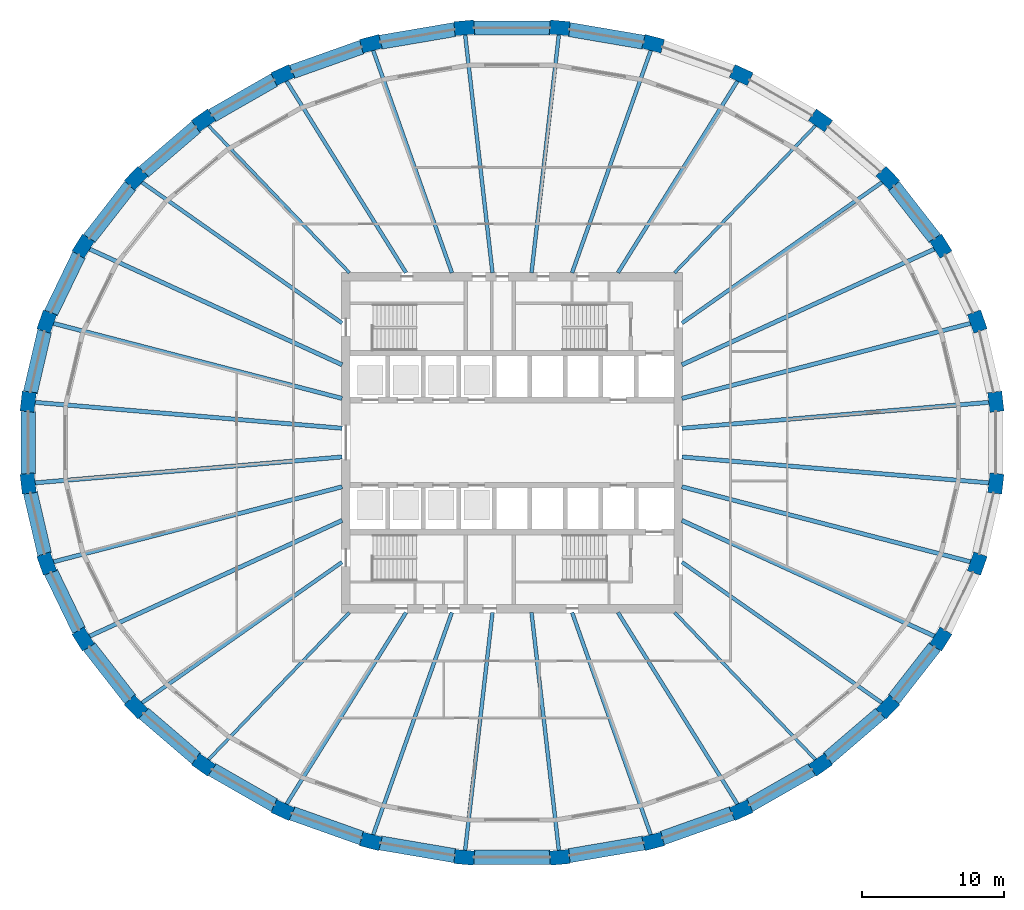
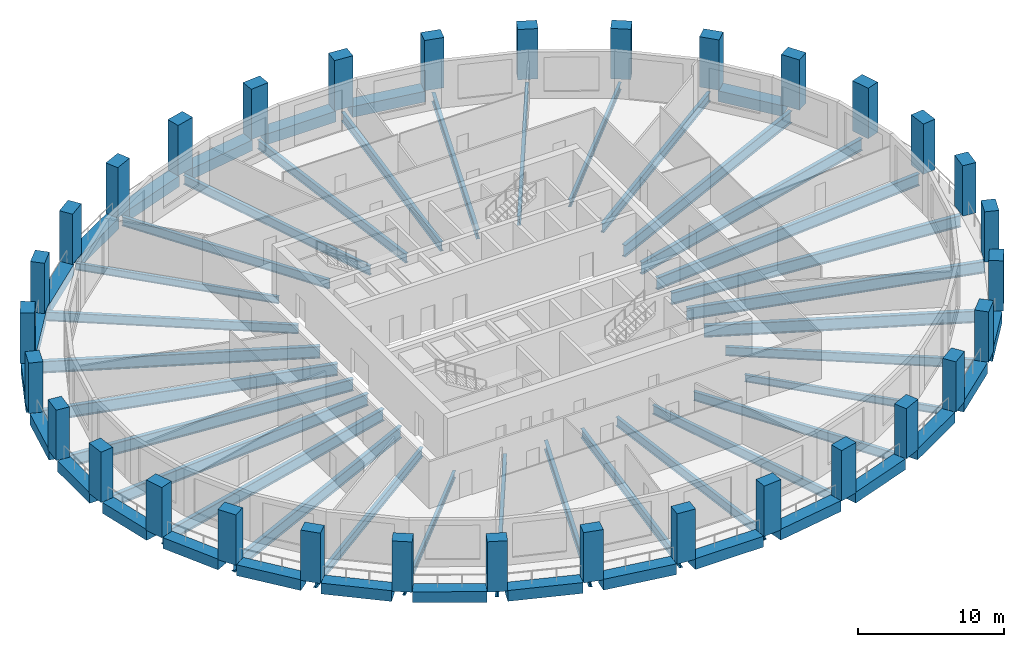
# One storey, part 1 of 11: 56 beams, 32 columns.
"""IFC4 building model written with IfcOpenShell, lengths in metres."""

from ifc_helpers import new_model, si_unit, direction, frame, origin, origin_2d, place, context, subcontext, project, spatial, rectangle, i_section, extrude, material, material_profile, profile_set, type_object, element, save


model = new_model("IFC4")

# Units and contexts
model_context = context("Model", 3, precision=1e-05, world=origin(), true_north=direction((0.0, 1.0)))
body_context = subcontext(model_context, "Body", "Model", "MODEL_VIEW")
ifc_project = project(units=[si_unit("LENGTHUNIT", "METRE"), si_unit("AREAUNIT", "SQUARE_METRE"), si_unit("VOLUMEUNIT", "CUBIC_METRE"), si_unit("PLANEANGLEUNIT", "RADIAN"), si_unit("MASSUNIT", "GRAM", prefix="KILO")], contexts=[model_context])

# Site, building, storey
site_placement = place(None, origin())
site = spatial("IfcSite", under=ifc_project, at=site_placement, CompositionType="ELEMENT")
building_placement = place(site_placement, origin())
building = spatial("IfcBuilding", under=site, at=building_placement, Name="Halqa Exchange Tower", CompositionType="ELEMENT")
storey_placement = place(building_placement, frame((0.0, 0.0, 146.5)))
storey = spatial("IfcBuildingStorey", under=building, at=storey_placement, Name="L33", CompositionType="ELEMENT", Elevation=146.5)

# Columns
ifc_material_1 = material(Name="Concrete C70/85", Category="concrete")
ifc_material_profile_1 = material_profile(ifc_material_1, rectangle(XDim=1.39990234375, YDim=1.0, at=origin_2d()), Name="1400 x 1000")
ifc_profile_set_1 = profile_set([ifc_material_profile_1], Name="Concrete C70/85")
column_type = type_object("IfcColumnType", Name="RC ring column 1400 x 1000 C70/85", PredefinedType="COLUMN", material=ifc_profile_set_1)
for number, where, z_axis, x_axis, name in (
    (1, (34.09814453125, 2.878662109375, 0.0), (0.0, 0.0, 1.0), (-0.114158655897, 0.993462531394, 0.0), "Ring column 1"),
    (2, (32.787841796875, 8.525146484375, 0.0), (0.0, 0.0, 1.0), (-0.33362916957, 0.942704395456, 0.0), "Ring column 2"),
    (3, (30.21728515625, 13.84423828125, 0.0), (0.0, 0.0, 1.0), (-0.529137534311, 0.848536074533, 0.0), "Ring column 3"),
    (4, (26.48583984375, 18.631103515625, 0.0), (0.0, 0.0, 1.0), (-0.691573569977, 0.722306027463, 0.0), "Ring column 4"),
    (5, (21.736328125, 22.7021484375, 0.0), (0.0, 0.0, 1.0), (-0.817907783846, 0.57534933486, 0.0), "Ring column 5"),
    (6, (16.151611328125, 25.900634765625, 0.0), (0.0, 0.0, 1.0), (-0.909127095833, 0.416518815449, 0.0), "Ring column 6"),
    (7, (9.946044921875, 28.10400390625, 0.0), (0.0, 0.0, 1.0), (-0.967819503571, 0.251645402317, 0.0), "Ring column 7"),
    (8, (3.3583984375, 29.22705078125, 0.0), (0.0, 0.0, 1.0), (-0.996455372165, 0.084123072248, 0.0), "Ring column 8"),
    (9, (-3.3583984375, 29.22705078125, 0.0), (0.0, 0.0, 1.0), (-0.996455372165, -0.084123072248, 0.0), "Ring column 9"),
    (10, (-9.946044921875, 28.10400390625, 0.0), (0.0, 0.0, 1.0), (-0.967819503571, -0.251645402317, 0.0), "Ring column 10"),
    (11, (-16.151611328125, 25.900634765625, 0.0), (0.0, 0.0, 1.0), (-0.909127095833, -0.416518815449, 0.0), "Ring column 11"),
    (12, (-21.736328125, 22.7021484375, 0.0), (0.0, 0.0, 1.0), (-0.817907783846, -0.57534933486, 0.0), "Ring column 12"),
    (13, (-26.48583984375, 18.631103515625, 0.0), (0.0, 0.0, 1.0), (-0.691573569977, -0.722306027463, 0.0), "Ring column 13"),
    (14, (-30.21728515625, 13.84423828125, 0.0), (0.0, 0.0, 1.0), (-0.529137534311, -0.848536074533, 0.0), "Ring column 14"),
    (15, (-32.787841796875, 8.525146484375, 0.0), (0.0, 0.0, 1.0), (-0.33362916957, -0.942704395456, 0.0), "Ring column 15"),
    (16, (-34.09814453125, 2.878662109375, 0.0), (0.0, 0.0, 1.0), (-0.114158655897, -0.993462531394, 0.0), "Ring column 16"),
    (17, (-34.09814453125, -2.878662109375, 0.0), (0.0, 0.0, 1.0), (0.114158655897, -0.993462531394, 0.0), "Ring column 17"),
    (18, (-32.787841796875, -8.525146484375, 0.0), (0.0, 0.0, 1.0), (0.33362916957, -0.942704395456, 0.0), "Ring column 18"),
    (19, (-30.21728515625, -13.84423828125, 0.0), (0.0, 0.0, 1.0), (0.529137534311, -0.848536074533, 0.0), "Ring column 19"),
    (20, (-26.48583984375, -18.631103515625, 0.0), (0.0, 0.0, 1.0), (0.691573569977, -0.722306027463, 0.0), "Ring column 20"),
    (21, (-21.736328125, -22.7021484375, 0.0), (0.0, 0.0, 1.0), (0.817907783846, -0.57534933486, 0.0), "Ring column 21"),
    (22, (-16.151611328125, -25.900634765625, 0.0), (0.0, 0.0, 1.0), (0.909127095833, -0.416518815449, 0.0), "Ring column 22"),
    (23, (-9.946044921875, -28.10400390625, 0.0), (0.0, 0.0, 1.0), (0.967819503571, -0.251645402317, 0.0), "Ring column 23"),
    (24, (-3.3583984375, -29.22705078125, 0.0), (0.0, 0.0, 1.0), (0.996455372165, -0.084123072248, 0.0), "Ring column 24"),
    (25, (3.3583984375, -29.22705078125, 0.0), (0.0, 0.0, 1.0), (0.996455372165, 0.084123072248, 0.0), "Ring column 25"),
    (26, (9.946044921875, -28.10400390625, 0.0), (0.0, 0.0, 1.0), (0.967819503571, 0.251645402317, 0.0), "Ring column 26"),
    (27, (16.151611328125, -25.900634765625, 0.0), (0.0, 0.0, 1.0), (0.909127095833, 0.416518815449, 0.0), "Ring column 27"),
    (28, (21.736328125, -22.7021484375, 0.0), (0.0, 0.0, 1.0), (0.817907783846, 0.57534933486, 0.0), "Ring column 28"),
    (29, (26.48583984375, -18.631103515625, 0.0), (0.0, 0.0, 1.0), (0.691573569977, 0.722306027463, 0.0), "Ring column 29"),
    (30, (30.21728515625, -13.84423828125, 0.0), (0.0, 0.0, 1.0), (0.529137534311, 0.848536074533, 0.0), "Ring column 30"),
    (31, (32.787841796875, -8.525146484375, 0.0), (0.0, 0.0, 1.0), (0.33362916957, 0.942704395456, 0.0), "Ring column 31"),
    (32, (34.09814453125, -2.878662109375, 0.0), (0.0, 0.0, 1.0), (0.114158655897, 0.993462531394, 0.0), "Ring column 32"),
):
    element("IfcColumn", number, at=place(storey_placement, frame(where, z_axis=z_axis, x_axis=x_axis)), inside=storey, type_object=column_type, Name=name, PredefinedType="COLUMN", context=body_context, shape_type="SweptSolid", body=[
        extrude(rectangle(XDim=1.39990234375, YDim=1.0, at=origin_2d()), origin(), (0.0, 0.0, 1.0), 4.199951171875),
    ])

# Beams
ifc_material_2 = material(Name="Steel S355", Category="steel")
ifc_material_profile_2 = material_profile(ifc_material_2, i_section(OverallWidth=0.300048828125, OverallDepth=0.989990234375, WebThickness=0.0166015625, FlangeThickness=0.031005859375, FilletRadius=0.030029296875, at=origin_2d()), Name="HEA 1000")
ifc_profile_set_2 = profile_set([ifc_material_profile_2], Name="Steel S355")
beam_type_1 = type_object("IfcBeamType", Name="Floor beam HEA 1000", PredefinedType="BEAM", material=ifc_profile_set_2)
beam_1_placement = place(storey_placement, frame((11.972412109375, 1.0107421875, -0.794921875), z_axis=(0.996455173749, 0.084125422484, 0.0), x_axis=(-0.084125422484, 0.996455173749, 0.0)))
element("IfcBeam", 33, at=beam_1_placement, inside=storey, type_object=beam_type_1, Name="Radial beam 1", PredefinedType="BEAM", context=body_context, shape_type="SweptSolid", body=[
    extrude(i_section(OverallWidth=0.300048828125, OverallDepth=0.989990234375, WebThickness=0.0166015625, FlangeThickness=0.031005859375, FilletRadius=0.030029296875, at=origin_2d()), origin(), (0.0, 0.0, 1.0), 21.83251953125),
])
beam_2_placement = place(storey_placement, frame((11.97119140625, 3.11279296875, -0.794921875), z_axis=(0.967820593748, 0.251641209498, 0.0), x_axis=(-0.251641209498, 0.967820593748, 0.0)))
element("IfcBeam", 34, at=beam_2_placement, inside=storey, type_object=beam_type_1, Name="Radial beam 2", PredefinedType="BEAM", context=body_context, shape_type="SweptSolid", body=[
    extrude(i_section(OverallWidth=0.300048828125, OverallDepth=0.989990234375, WebThickness=0.0166015625, FlangeThickness=0.031005859375, FilletRadius=0.030029296875, at=origin_2d()), origin(), (0.0, 0.0, 1.0), 21.134765625),
])
for number, where, z_axis, x_axis, name in (
    (35, (11.972412109375, 5.485107421875, -0.794921875), (0.909126053859, 0.416521089737, 0.0), (-0.416521089737, 0.909126053859, 0.0), "Radial beam 3"),
    (36, (-11.972412109375, 5.485107421875, -0.794921875), (-0.909126053859, 0.416521089737, 0.0), (-0.416521089737, -0.909126053859, 0.0), "Radial beam 14"),
):
    element("IfcBeam", number, at=place(storey_placement, frame(where, z_axis=z_axis, x_axis=x_axis)), inside=storey, type_object=beam_type_1, Name=name, PredefinedType="BEAM", context=body_context, shape_type="SweptSolid", body=[
        extrude(i_section(OverallWidth=0.300048828125, OverallDepth=0.989990234375, WebThickness=0.0166015625, FlangeThickness=0.031005859375, FilletRadius=0.030029296875, at=origin_2d()), origin(), (0.0, 0.0, 1.0), 19.692626953125),
    ])
beam_3_placement = place(storey_placement, frame((-11.97119140625, 3.11279296875, -0.794921875), z_axis=(-0.967820593748, 0.251641209498, 0.0), x_axis=(-0.251641209498, -0.967820593748, 0.0)))
element("IfcBeam", 37, at=beam_3_placement, inside=storey, type_object=beam_type_1, Name="Radial beam 15", PredefinedType="BEAM", context=body_context, shape_type="SweptSolid", body=[
    extrude(i_section(OverallWidth=0.300048828125, OverallDepth=0.989990234375, WebThickness=0.0166015625, FlangeThickness=0.031005859375, FilletRadius=0.030029296875, at=origin_2d()), origin(), (0.0, 0.0, 1.0), 21.134765625),
])
for number, where, z_axis, x_axis, name in (
    (38, (-11.972412109375, 1.0107421875, -0.794921875), (-0.996455173749, 0.084125422484, 0.0), (-0.084125422484, -0.996455173749, 0.0), "Radial beam 16"),
    (39, (-11.972412109375, -1.0107421875, -0.794921875), (-0.996455173749, -0.084125422484, 0.0), (0.084125422484, -0.996455173749, 0.0), "Radial beam 17"),
):
    element("IfcBeam", number, at=place(storey_placement, frame(where, z_axis=z_axis, x_axis=x_axis)), inside=storey, type_object=beam_type_1, Name=name, PredefinedType="BEAM", context=body_context, shape_type="SweptSolid", body=[
        extrude(i_section(OverallWidth=0.300048828125, OverallDepth=0.989990234375, WebThickness=0.0166015625, FlangeThickness=0.031005859375, FilletRadius=0.030029296875, at=origin_2d()), origin(), (0.0, 0.0, 1.0), 21.83251953125),
    ])
beam_4_placement = place(storey_placement, frame((-11.97119140625, -3.11279296875, -0.794921875), z_axis=(-0.967820593748, -0.251641209498, 0.0), x_axis=(0.251641209498, -0.967820593748, 0.0)))
element("IfcBeam", 40, at=beam_4_placement, inside=storey, type_object=beam_type_1, Name="Radial beam 18", PredefinedType="BEAM", context=body_context, shape_type="SweptSolid", body=[
    extrude(i_section(OverallWidth=0.300048828125, OverallDepth=0.989990234375, WebThickness=0.0166015625, FlangeThickness=0.031005859375, FilletRadius=0.030029296875, at=origin_2d()), origin(), (0.0, 0.0, 1.0), 21.134765625),
])
for number, where, z_axis, x_axis, name in (
    (41, (-11.972412109375, -5.485107421875, -0.794921875), (-0.909126053859, -0.416521089737, 0.0), (0.416521089737, -0.909126053859, 0.0), "Radial beam 19"),
    (42, (11.972412109375, -5.485107421875, -0.794921875), (0.909126053859, -0.416521089737, 0.0), (0.416521089737, 0.909126053859, 0.0), "Radial beam 30"),
):
    element("IfcBeam", number, at=place(storey_placement, frame(where, z_axis=z_axis, x_axis=x_axis)), inside=storey, type_object=beam_type_1, Name=name, PredefinedType="BEAM", context=body_context, shape_type="SweptSolid", body=[
        extrude(i_section(OverallWidth=0.300048828125, OverallDepth=0.989990234375, WebThickness=0.0166015625, FlangeThickness=0.031005859375, FilletRadius=0.030029296875, at=origin_2d()), origin(), (0.0, 0.0, 1.0), 19.692626953125),
    ])
beam_5_placement = place(storey_placement, frame((11.97119140625, -3.11279296875, -0.794921875), z_axis=(0.967820593748, -0.251641209498, 0.0), x_axis=(0.251641209498, 0.967820593748, 0.0)))
element("IfcBeam", 43, at=beam_5_placement, inside=storey, type_object=beam_type_1, Name="Radial beam 31", PredefinedType="BEAM", context=body_context, shape_type="SweptSolid", body=[
    extrude(i_section(OverallWidth=0.300048828125, OverallDepth=0.989990234375, WebThickness=0.0166015625, FlangeThickness=0.031005859375, FilletRadius=0.030029296875, at=origin_2d()), origin(), (0.0, 0.0, 1.0), 21.134765625),
])
beam_6_placement = place(storey_placement, frame((11.972412109375, -1.0107421875, -0.794921875), z_axis=(0.996455173749, -0.084125422484, 0.0), x_axis=(0.084125422484, 0.996455173749, 0.0)))
element("IfcBeam", 44, at=beam_6_placement, inside=storey, type_object=beam_type_1, Name="Radial beam 32", PredefinedType="BEAM", context=body_context, shape_type="SweptSolid", body=[
    extrude(i_section(OverallWidth=0.300048828125, OverallDepth=0.989990234375, WebThickness=0.0166015625, FlangeThickness=0.031005859375, FilletRadius=0.030029296875, at=origin_2d()), origin(), (0.0, 0.0, 1.0), 21.83251953125),
])
ifc_material_profile_3 = material_profile(ifc_material_2, i_section(OverallWidth=0.219970703125, OverallDepth=0.60009765625, WebThickness=0.011962890625, FlangeThickness=0.01904296875, FilletRadius=0.02392578125, at=origin_2d()), Name="IPE 600")
ifc_profile_set_3 = profile_set([ifc_material_profile_3], Name="Steel S355")
beam_type_2 = type_object("IfcBeamType", Name="Floor beam IPE 600", PredefinedType="BEAM", material=ifc_profile_set_3)
for number, where, z_axis, x_axis, name in (
    (45, (11.463134765625, 11.972412109375, -0.60009765625), (0.69157018889, 0.722309264677, 0.0), (-0.722309264677, 0.69157018889, 0.0), "Radial beam 5"),
    (46, (-11.463134765625, 11.972412109375, -0.60009765625), (-0.69157018889, 0.722309264677, 0.0), (-0.722309264677, -0.69157018889, 0.0), "Radial beam 12"),
    (47, (-11.463134765625, -11.972412109375, -0.60009765625), (-0.69157018889, -0.722309264677, 0.0), (0.722309264677, -0.69157018889, 0.0), "Radial beam 21"),
    (48, (11.463134765625, -11.972412109375, -0.60009765625), (0.69157018889, -0.722309264677, 0.0), (0.722309264677, 0.69157018889, 0.0), "Radial beam 28"),
):
    element("IfcBeam", number, at=place(storey_placement, frame(where, z_axis=z_axis, x_axis=x_axis)), inside=storey, type_object=beam_type_2, Name=name, PredefinedType="BEAM", context=body_context, shape_type="SweptSolid", body=[
        extrude(i_section(OverallWidth=0.219970703125, OverallDepth=0.60009765625, WebThickness=0.011962890625, FlangeThickness=0.01904296875, FilletRadius=0.02392578125, at=origin_2d()), origin(), (0.0, 0.0, 1.0), 14.47900390625),
    ])
ifc_material_profile_4 = material_profile(ifc_material_2, i_section(OverallWidth=0.264892578125, OverallDepth=0.7529296875, WebThickness=0.01318359375, FlangeThickness=0.01708984375, FilletRadius=0.01708984375, at=origin_2d()), Name="IPE 750x147")
ifc_profile_set_4 = profile_set([ifc_material_profile_4], Name="Steel S355")
beam_type_3 = type_object("IfcBeamType", Name="Floor beam IPE 750x147", PredefinedType="BEAM", material=ifc_profile_set_4)
beam_7_placement = place(storey_placement, frame((11.97216796875, 8.421630859375, -0.676513671875), z_axis=(0.81790637414, 0.575351338872, 0.0), x_axis=(-0.575351338872, 0.81790637414, 0.0)))
element("IfcBeam", 49, at=beam_7_placement, inside=storey, type_object=beam_type_3, Name="Radial beam 4", PredefinedType="BEAM", context=body_context, shape_type="SweptSolid", body=[
    extrude(i_section(OverallWidth=0.264892578125, OverallDepth=0.7529296875, WebThickness=0.01318359375, FlangeThickness=0.01708984375, FilletRadius=0.01708984375, at=origin_2d()), origin(), (0.0, 0.0, 1.0), 17.368896484375),
])
beam_8_placement = place(storey_placement, frame((7.466064453125, 11.972412109375, -0.676513671875), z_axis=(0.52913391478, 0.848538331621, 0.0), x_axis=(-0.848538331621, 0.52913391478, 0.0)))
element("IfcBeam", 50, at=beam_8_placement, inside=storey, type_object=beam_type_3, Name="Radial beam 6", PredefinedType="BEAM", context=body_context, shape_type="SweptSolid", body=[
    extrude(i_section(OverallWidth=0.264892578125, OverallDepth=0.7529296875, WebThickness=0.01318359375, FlangeThickness=0.01708984375, FilletRadius=0.01708984375, at=origin_2d()), origin(), (0.0, 0.0, 1.0), 16.03857421875),
])
beam_9_placement = place(storey_placement, frame((4.23681640625, 11.9716796875, -0.676513671875), z_axis=(0.333628705168, 0.942704559811, 0.0), x_axis=(-0.942704559811, 0.333628705168, 0.0)))
element("IfcBeam", 51, at=beam_9_placement, inside=storey, type_object=beam_type_3, Name="Radial beam 7", PredefinedType="BEAM", context=body_context, shape_type="SweptSolid", body=[
    extrude(i_section(OverallWidth=0.264892578125, OverallDepth=0.7529296875, WebThickness=0.01318359375, FlangeThickness=0.01708984375, FilletRadius=0.01708984375, at=origin_2d()), origin(), (0.0, 0.0, 1.0), 16.738525390625),
])
for number, where, z_axis, x_axis, name in (
    (52, (1.375732421875, 11.972900390625, -0.676513671875), (0.114157917427, 0.993462616251, 0.0), (-0.993462616251, 0.114157917427, 0.0), "Radial beam 8"),
    (53, (-1.375732421875, 11.972900390625, -0.676513671875), (-0.114157917427, 0.993462616251, 0.0), (-0.993462616251, -0.114157917427, 0.0), "Radial beam 9"),
):
    element("IfcBeam", number, at=place(storey_placement, frame(where, z_axis=z_axis, x_axis=x_axis)), inside=storey, type_object=beam_type_3, Name=name, PredefinedType="BEAM", context=body_context, shape_type="SweptSolid", body=[
        extrude(i_section(OverallWidth=0.264892578125, OverallDepth=0.7529296875, WebThickness=0.01318359375, FlangeThickness=0.01708984375, FilletRadius=0.01708984375, at=origin_2d()), origin(), (0.0, 0.0, 1.0), 16.99560546875),
    ])
beam_10_placement = place(storey_placement, frame((-4.23681640625, 11.9716796875, -0.676513671875), z_axis=(-0.333628705168, 0.942704559811, 0.0), x_axis=(-0.942704559811, -0.333628705168, 0.0)))
element("IfcBeam", 54, at=beam_10_placement, inside=storey, type_object=beam_type_3, Name="Radial beam 10", PredefinedType="BEAM", context=body_context, shape_type="SweptSolid", body=[
    extrude(i_section(OverallWidth=0.264892578125, OverallDepth=0.7529296875, WebThickness=0.01318359375, FlangeThickness=0.01708984375, FilletRadius=0.01708984375, at=origin_2d()), origin(), (0.0, 0.0, 1.0), 16.738525390625),
])
beam_11_placement = place(storey_placement, frame((-7.466064453125, 11.972412109375, -0.676513671875), z_axis=(-0.52913391478, 0.848538331621, 0.0), x_axis=(-0.848538331621, -0.52913391478, 0.0)))
element("IfcBeam", 55, at=beam_11_placement, inside=storey, type_object=beam_type_3, Name="Radial beam 11", PredefinedType="BEAM", context=body_context, shape_type="SweptSolid", body=[
    extrude(i_section(OverallWidth=0.264892578125, OverallDepth=0.7529296875, WebThickness=0.01318359375, FlangeThickness=0.01708984375, FilletRadius=0.01708984375, at=origin_2d()), origin(), (0.0, 0.0, 1.0), 16.03857421875),
])
for number, where, z_axis, x_axis, name in (
    (56, (-11.97216796875, 8.421630859375, -0.676513671875), (-0.81790637414, 0.575351338872, 0.0), (-0.575351338872, -0.81790637414, 0.0), "Radial beam 13"),
    (57, (-11.97216796875, -8.421630859375, -0.676513671875), (-0.81790637414, -0.575351338872, 0.0), (0.575351338872, -0.81790637414, 0.0), "Radial beam 20"),
):
    element("IfcBeam", number, at=place(storey_placement, frame(where, z_axis=z_axis, x_axis=x_axis)), inside=storey, type_object=beam_type_3, Name=name, PredefinedType="BEAM", context=body_context, shape_type="SweptSolid", body=[
        extrude(i_section(OverallWidth=0.264892578125, OverallDepth=0.7529296875, WebThickness=0.01318359375, FlangeThickness=0.01708984375, FilletRadius=0.01708984375, at=origin_2d()), origin(), (0.0, 0.0, 1.0), 17.368896484375),
    ])
beam_12_placement = place(storey_placement, frame((-7.466064453125, -11.972412109375, -0.676513671875), z_axis=(-0.52913391478, -0.848538331621, 0.0), x_axis=(0.848538331621, -0.52913391478, 0.0)))
element("IfcBeam", 58, at=beam_12_placement, inside=storey, type_object=beam_type_3, Name="Radial beam 22", PredefinedType="BEAM", context=body_context, shape_type="SweptSolid", body=[
    extrude(i_section(OverallWidth=0.264892578125, OverallDepth=0.7529296875, WebThickness=0.01318359375, FlangeThickness=0.01708984375, FilletRadius=0.01708984375, at=origin_2d()), origin(), (0.0, 0.0, 1.0), 16.03857421875),
])
beam_13_placement = place(storey_placement, frame((-4.23681640625, -11.9716796875, -0.676513671875), z_axis=(-0.333628705168, -0.942704559811, 0.0), x_axis=(0.942704559811, -0.333628705168, 0.0)))
element("IfcBeam", 59, at=beam_13_placement, inside=storey, type_object=beam_type_3, Name="Radial beam 23", PredefinedType="BEAM", context=body_context, shape_type="SweptSolid", body=[
    extrude(i_section(OverallWidth=0.264892578125, OverallDepth=0.7529296875, WebThickness=0.01318359375, FlangeThickness=0.01708984375, FilletRadius=0.01708984375, at=origin_2d()), origin(), (0.0, 0.0, 1.0), 16.738525390625),
])
for number, where, z_axis, x_axis, name in (
    (60, (-1.375732421875, -11.972900390625, -0.676513671875), (-0.114157917427, -0.993462616251, 0.0), (0.993462616251, -0.114157917427, 0.0), "Radial beam 24"),
    (61, (1.375732421875, -11.972900390625, -0.676513671875), (0.114157917427, -0.993462616251, 0.0), (0.993462616251, 0.114157917427, 0.0), "Radial beam 25"),
):
    element("IfcBeam", number, at=place(storey_placement, frame(where, z_axis=z_axis, x_axis=x_axis)), inside=storey, type_object=beam_type_3, Name=name, PredefinedType="BEAM", context=body_context, shape_type="SweptSolid", body=[
        extrude(i_section(OverallWidth=0.264892578125, OverallDepth=0.7529296875, WebThickness=0.01318359375, FlangeThickness=0.01708984375, FilletRadius=0.01708984375, at=origin_2d()), origin(), (0.0, 0.0, 1.0), 16.99560546875),
    ])
beam_14_placement = place(storey_placement, frame((4.23681640625, -11.9716796875, -0.676513671875), z_axis=(0.333628705168, -0.942704559811, 0.0), x_axis=(0.942704559811, 0.333628705168, 0.0)))
element("IfcBeam", 62, at=beam_14_placement, inside=storey, type_object=beam_type_3, Name="Radial beam 26", PredefinedType="BEAM", context=body_context, shape_type="SweptSolid", body=[
    extrude(i_section(OverallWidth=0.264892578125, OverallDepth=0.7529296875, WebThickness=0.01318359375, FlangeThickness=0.01708984375, FilletRadius=0.01708984375, at=origin_2d()), origin(), (0.0, 0.0, 1.0), 16.738525390625),
])
beam_15_placement = place(storey_placement, frame((7.466064453125, -11.972412109375, -0.676513671875), z_axis=(0.52913391478, -0.848538331621, 0.0), x_axis=(0.848538331621, 0.52913391478, 0.0)))
element("IfcBeam", 63, at=beam_15_placement, inside=storey, type_object=beam_type_3, Name="Radial beam 27", PredefinedType="BEAM", context=body_context, shape_type="SweptSolid", body=[
    extrude(i_section(OverallWidth=0.264892578125, OverallDepth=0.7529296875, WebThickness=0.01318359375, FlangeThickness=0.01708984375, FilletRadius=0.01708984375, at=origin_2d()), origin(), (0.0, 0.0, 1.0), 16.03857421875),
])
beam_16_placement = place(storey_placement, frame((11.97216796875, -8.421630859375, -0.676513671875), z_axis=(0.81790637414, -0.575351338872, 0.0), x_axis=(0.575351338872, 0.81790637414, 0.0)))
element("IfcBeam", 64, at=beam_16_placement, inside=storey, type_object=beam_type_3, Name="Radial beam 29", PredefinedType="BEAM", context=body_context, shape_type="SweptSolid", body=[
    extrude(i_section(OverallWidth=0.264892578125, OverallDepth=0.7529296875, WebThickness=0.01318359375, FlangeThickness=0.01708984375, FilletRadius=0.01708984375, at=origin_2d()), origin(), (0.0, 0.0, 1.0), 17.368896484375),
])
ifc_material_3 = material(Name="Concrete C60/75", Category="concrete")
ifc_material_profile_5 = material_profile(ifc_material_3, rectangle(XDim=1.0, YDim=0.89990234375, at=origin_2d()), Name="1000 x 900")
ifc_profile_set_5 = profile_set([ifc_material_profile_5], Name="Concrete C60/75")
beam_type_4 = type_object("IfcBeamType", Name="RC spandrel beam 1000 x 900 C60/75", PredefinedType="SPANDREL", material=ifc_profile_set_5)
beam_17_placement = place(storey_placement, frame((29.802001953125, 14.377197265625, -0.449951171875), z_axis=(-0.614803403502, 0.788680401076, 0.0), x_axis=(-0.788680401076, -0.614803403502, 0.0)))
element("IfcBeam", 65, at=beam_17_placement, inside=storey, type_object=beam_type_4, Name="Spandrel 3", PredefinedType="SPANDREL", context=body_context, shape_type="SweptSolid", body=[
    extrude(rectangle(XDim=1.0, YDim=0.89990234375, at=origin_2d()), origin(), (0.0, 0.0, 1.0), 4.71923828125),
])
beam_18_placement = place(storey_placement, frame((9.281982421875, 28.217041015625, -0.449951171875), z_axis=(-0.985773443598, 0.168079498741, 0.0), x_axis=(-0.168079498741, -0.985773443598, 0.0)))
element("IfcBeam", 66, at=beam_18_placement, inside=storey, type_object=beam_type_4, Name="Spandrel 7", PredefinedType="SPANDREL", context=body_context, shape_type="SweptSolid", body=[
    extrude(rectangle(XDim=1.0, YDim=0.89990234375, at=origin_2d()), origin(), (0.0, 0.0, 1.0), 5.333740234375),
])
beam_19_placement = place(storey_placement, frame((2.68310546875, 29.22705078125, -0.449951171875), z_axis=(-1.0, 0.0, 0.0), x_axis=(0.0, -1.0, 0.0)))
element("IfcBeam", 67, at=beam_19_placement, inside=storey, type_object=beam_type_4, Name="Spandrel 8", PredefinedType="SPANDREL", context=body_context, shape_type="SweptSolid", body=[
    extrude(rectangle(XDim=1.0, YDim=0.89990234375, at=origin_2d()), origin(), (0.0, 0.0, 1.0), 5.3662109375),
])
beam_20_placement = place(storey_placement, frame((-4.024169921875, 29.113525390625, -0.449951171875), z_axis=(-0.985773443598, -0.168079498741, 0.0), x_axis=(0.168079498741, -0.985773443598, 0.0)))
element("IfcBeam", 68, at=beam_20_placement, inside=storey, type_object=beam_type_4, Name="Spandrel 9", PredefinedType="SPANDREL", context=body_context, shape_type="SweptSolid", body=[
    extrude(rectangle(XDim=1.0, YDim=0.89990234375, at=origin_2d()), origin(), (0.0, 0.0, 1.0), 5.333740234375),
])
beam_21_placement = place(storey_placement, frame((-10.58154296875, 27.87841796875, -0.449951171875), z_axis=(-0.942353294541, -0.334619587393, 0.0), x_axis=(0.334619587393, -0.942353294541, 0.0)))
element("IfcBeam", 69, at=beam_21_placement, inside=storey, type_object=beam_type_4, Name="Spandrel 10", PredefinedType="SPANDREL", context=body_context, shape_type="SweptSolid", body=[
    extrude(rectangle(XDim=1.0, YDim=0.89990234375, at=origin_2d()), origin(), (0.0, 0.0, 1.0), 5.235595703125),
])
beam_22_placement = place(storey_placement, frame((-16.736328125, 25.56591796875, -0.449951171875), z_axis=(-0.867746542686, -0.497006979484, 0.0), x_axis=(0.497006979484, -0.867746542686, 0.0)))
element("IfcBeam", 70, at=beam_22_placement, inside=storey, type_object=beam_type_4, Name="Spandrel 11", PredefinedType="SPANDREL", context=body_context, shape_type="SweptSolid", body=[
    extrude(rectangle(XDim=1.0, YDim=0.89990234375, at=origin_2d()), origin(), (0.0, 0.0, 1.0), 5.087158203125),
])
beam_23_placement = place(storey_placement, frame((-22.248046875, 22.263427734375, -0.449951171875), z_axis=(-0.759267140772, -0.650779078447, 0.0), x_axis=(0.650779078447, -0.759267140772, 0.0)))
element("IfcBeam", 71, at=beam_23_placement, inside=storey, type_object=beam_type_4, Name="Spandrel 12", PredefinedType="SPANDREL", context=body_context, shape_type="SweptSolid", body=[
    extrude(rectangle(XDim=1.0, YDim=0.89990234375, at=origin_2d()), origin(), (0.0, 0.0, 1.0), 4.90576171875),
])
beam_24_placement = place(storey_placement, frame((-26.900634765625, 18.09912109375, -0.449951171875), z_axis=(-0.614803403502, -0.788680401076, 0.0), x_axis=(0.788680401076, -0.614803403502, 0.0)))
element("IfcBeam", 72, at=beam_24_placement, inside=storey, type_object=beam_type_4, Name="Spandrel 13", PredefinedType="SPANDREL", context=body_context, shape_type="SweptSolid", body=[
    extrude(rectangle(XDim=1.0, YDim=0.89990234375, at=origin_2d()), origin(), (0.0, 0.0, 1.0), 4.71923828125),
])
beam_25_placement = place(storey_placement, frame((-30.510986328125, 13.236328125, -0.449951171875), z_axis=(-0.435149114215, -0.900358399971, 0.0), x_axis=(0.900358399971, -0.435149114215, 0.0)))
element("IfcBeam", 73, at=beam_25_placement, inside=storey, type_object=beam_type_4, Name="Spandrel 14", PredefinedType="SPANDREL", context=body_context, shape_type="SweptSolid", body=[
    extrude(rectangle(XDim=1.0, YDim=0.89990234375, at=origin_2d()), origin(), (0.0, 0.0, 1.0), 4.556396484375),
])
beam_26_placement = place(storey_placement, frame((-32.94091796875, 7.86572265625, -0.449951171875), z_axis=(-0.226018930152, -0.974122909705, 0.0), x_axis=(0.974122909705, -0.226018930152, 0.0)))
element("IfcBeam", 74, at=beam_26_placement, inside=storey, type_object=beam_type_4, Name="Spandrel 15", PredefinedType="SPANDREL", context=body_context, shape_type="SweptSolid", body=[
    extrude(rectangle(XDim=1.0, YDim=0.89990234375, at=origin_2d()), origin(), (0.0, 0.0, 1.0), 4.44384765625),
])
beam_27_placement = place(storey_placement, frame((-34.09814453125, 2.20263671875, -0.449951171875), z_axis=(0.0, -1.0, 0.0), x_axis=(1.0, 0.0, 0.0)))
element("IfcBeam", 75, at=beam_27_placement, inside=storey, type_object=beam_type_4, Name="Spandrel 16", PredefinedType="SPANDREL", context=body_context, shape_type="SweptSolid", body=[
    extrude(rectangle(XDim=1.0, YDim=0.89990234375, at=origin_2d()), origin(), (0.0, 0.0, 1.0), 4.4052734375),
])
beam_28_placement = place(storey_placement, frame((-33.9453125, -3.536865234375, -0.449951171875), z_axis=(0.226018930152, -0.974122909705, 0.0), x_axis=(0.974122909705, 0.226018930152, 0.0)))
element("IfcBeam", 76, at=beam_28_placement, inside=storey, type_object=beam_type_4, Name="Spandrel 17", PredefinedType="SPANDREL", context=body_context, shape_type="SweptSolid", body=[
    extrude(rectangle(XDim=1.0, YDim=0.89990234375, at=origin_2d()), origin(), (0.0, 0.0, 1.0), 4.44384765625),
])
beam_29_placement = place(storey_placement, frame((-32.49365234375, -9.134033203125, -0.449951171875), z_axis=(0.435149114215, -0.900358399971, 0.0), x_axis=(0.900358399971, 0.435149114215, 0.0)))
element("IfcBeam", 77, at=beam_29_placement, inside=storey, type_object=beam_type_4, Name="Spandrel 18", PredefinedType="SPANDREL", context=body_context, shape_type="SweptSolid", body=[
    extrude(rectangle(XDim=1.0, YDim=0.89990234375, at=origin_2d()), origin(), (0.0, 0.0, 1.0), 4.556396484375),
])
beam_30_placement = place(storey_placement, frame((-29.802001953125, -14.377197265625, -0.449951171875), z_axis=(0.614803403502, -0.788680401076, 0.0), x_axis=(0.788680401076, 0.614803403502, 0.0)))
element("IfcBeam", 78, at=beam_30_placement, inside=storey, type_object=beam_type_4, Name="Spandrel 19", PredefinedType="SPANDREL", context=body_context, shape_type="SweptSolid", body=[
    extrude(rectangle(XDim=1.0, YDim=0.89990234375, at=origin_2d()), origin(), (0.0, 0.0, 1.0), 4.71923828125),
])
beam_31_placement = place(storey_placement, frame((-25.972900390625, -19.07080078125, -0.449951171875), z_axis=(0.759267140772, -0.650779078447, 0.0), x_axis=(0.650779078447, 0.759267140772, 0.0)))
element("IfcBeam", 79, at=beam_31_placement, inside=storey, type_object=beam_type_4, Name="Spandrel 20", PredefinedType="SPANDREL", context=body_context, shape_type="SweptSolid", body=[
    extrude(rectangle(XDim=1.0, YDim=0.89990234375, at=origin_2d()), origin(), (0.0, 0.0, 1.0), 4.90576171875),
])
beam_32_placement = place(storey_placement, frame((-21.150634765625, -23.03759765625, -0.449951171875), z_axis=(0.867746542686, -0.497006979484, 0.0), x_axis=(0.497006979484, 0.867746542686, 0.0)))
element("IfcBeam", 80, at=beam_32_placement, inside=storey, type_object=beam_type_4, Name="Spandrel 21", PredefinedType="SPANDREL", context=body_context, shape_type="SweptSolid", body=[
    extrude(rectangle(XDim=1.0, YDim=0.89990234375, at=origin_2d()), origin(), (0.0, 0.0, 1.0), 5.087158203125),
])
beam_33_placement = place(storey_placement, frame((-15.515380859375, -26.12646484375, -0.449951171875), z_axis=(0.942353294541, -0.334619587393, 0.0), x_axis=(0.334619587393, 0.942353294541, 0.0)))
element("IfcBeam", 81, at=beam_33_placement, inside=storey, type_object=beam_type_4, Name="Spandrel 22", PredefinedType="SPANDREL", context=body_context, shape_type="SweptSolid", body=[
    extrude(rectangle(XDim=1.0, YDim=0.89990234375, at=origin_2d()), origin(), (0.0, 0.0, 1.0), 5.235595703125),
])
beam_34_placement = place(storey_placement, frame((-9.281982421875, -28.217041015625, -0.449951171875), z_axis=(0.985773443598, -0.168079498741, 0.0), x_axis=(0.168079498741, 0.985773443598, 0.0)))
element("IfcBeam", 82, at=beam_34_placement, inside=storey, type_object=beam_type_4, Name="Spandrel 23", PredefinedType="SPANDREL", context=body_context, shape_type="SweptSolid", body=[
    extrude(rectangle(XDim=1.0, YDim=0.89990234375, at=origin_2d()), origin(), (0.0, 0.0, 1.0), 5.333740234375),
])
beam_35_placement = place(storey_placement, frame((-2.68310546875, -29.22705078125, -0.449951171875), z_axis=(1.0, 0.0, 0.0), x_axis=(0.0, 1.0, 0.0)))
element("IfcBeam", 83, at=beam_35_placement, inside=storey, type_object=beam_type_4, Name="Spandrel 24", PredefinedType="SPANDREL", context=body_context, shape_type="SweptSolid", body=[
    extrude(rectangle(XDim=1.0, YDim=0.89990234375, at=origin_2d()), origin(), (0.0, 0.0, 1.0), 5.3662109375),
])
beam_36_placement = place(storey_placement, frame((4.024169921875, -29.113525390625, -0.449951171875), z_axis=(0.985773443598, 0.168079498741, 0.0), x_axis=(-0.168079498741, 0.985773443598, 0.0)))
element("IfcBeam", 84, at=beam_36_placement, inside=storey, type_object=beam_type_4, Name="Spandrel 25", PredefinedType="SPANDREL", context=body_context, shape_type="SweptSolid", body=[
    extrude(rectangle(XDim=1.0, YDim=0.89990234375, at=origin_2d()), origin(), (0.0, 0.0, 1.0), 5.333740234375),
])
beam_37_placement = place(storey_placement, frame((10.58154296875, -27.87841796875, -0.449951171875), z_axis=(0.942353294541, 0.334619587393, 0.0), x_axis=(-0.334619587393, 0.942353294541, 0.0)))
element("IfcBeam", 85, at=beam_37_placement, inside=storey, type_object=beam_type_4, Name="Spandrel 26", PredefinedType="SPANDREL", context=body_context, shape_type="SweptSolid", body=[
    extrude(rectangle(XDim=1.0, YDim=0.89990234375, at=origin_2d()), origin(), (0.0, 0.0, 1.0), 5.235595703125),
])
beam_38_placement = place(storey_placement, frame((16.736328125, -25.56591796875, -0.449951171875), z_axis=(0.867746542686, 0.497006979484, 0.0), x_axis=(-0.497006979484, 0.867746542686, 0.0)))
element("IfcBeam", 86, at=beam_38_placement, inside=storey, type_object=beam_type_4, Name="Spandrel 27", PredefinedType="SPANDREL", context=body_context, shape_type="SweptSolid", body=[
    extrude(rectangle(XDim=1.0, YDim=0.89990234375, at=origin_2d()), origin(), (0.0, 0.0, 1.0), 5.087158203125),
])
beam_39_placement = place(storey_placement, frame((22.248046875, -22.263427734375, -0.449951171875), z_axis=(0.759267140772, 0.650779078447, 0.0), x_axis=(-0.650779078447, 0.759267140772, 0.0)))
element("IfcBeam", 87, at=beam_39_placement, inside=storey, type_object=beam_type_4, Name="Spandrel 28", PredefinedType="SPANDREL", context=body_context, shape_type="SweptSolid", body=[
    extrude(rectangle(XDim=1.0, YDim=0.89990234375, at=origin_2d()), origin(), (0.0, 0.0, 1.0), 4.90576171875),
])
beam_40_placement = place(storey_placement, frame((26.900634765625, -18.09912109375, -0.449951171875), z_axis=(0.614803403502, 0.788680401076, 0.0), x_axis=(-0.788680401076, 0.614803403502, 0.0)))
element("IfcBeam", 88, at=beam_40_placement, inside=storey, type_object=beam_type_4, Name="Spandrel 29", PredefinedType="SPANDREL", context=body_context, shape_type="SweptSolid", body=[
    extrude(rectangle(XDim=1.0, YDim=0.89990234375, at=origin_2d()), origin(), (0.0, 0.0, 1.0), 4.71923828125),
])

save(model, "model.ifc")
